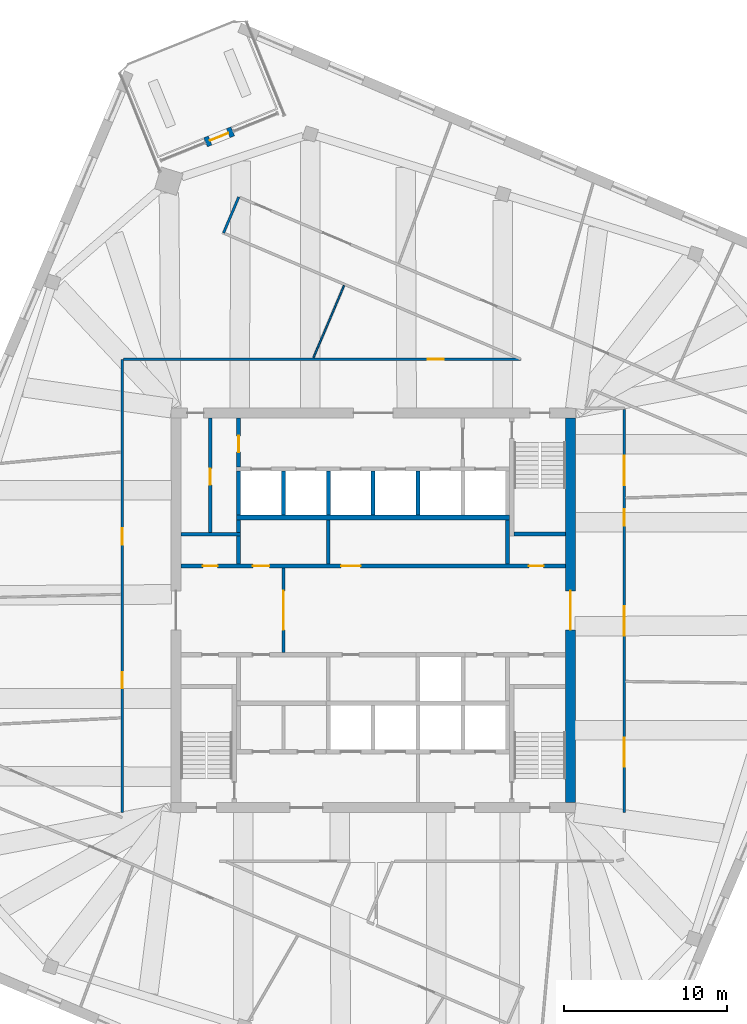
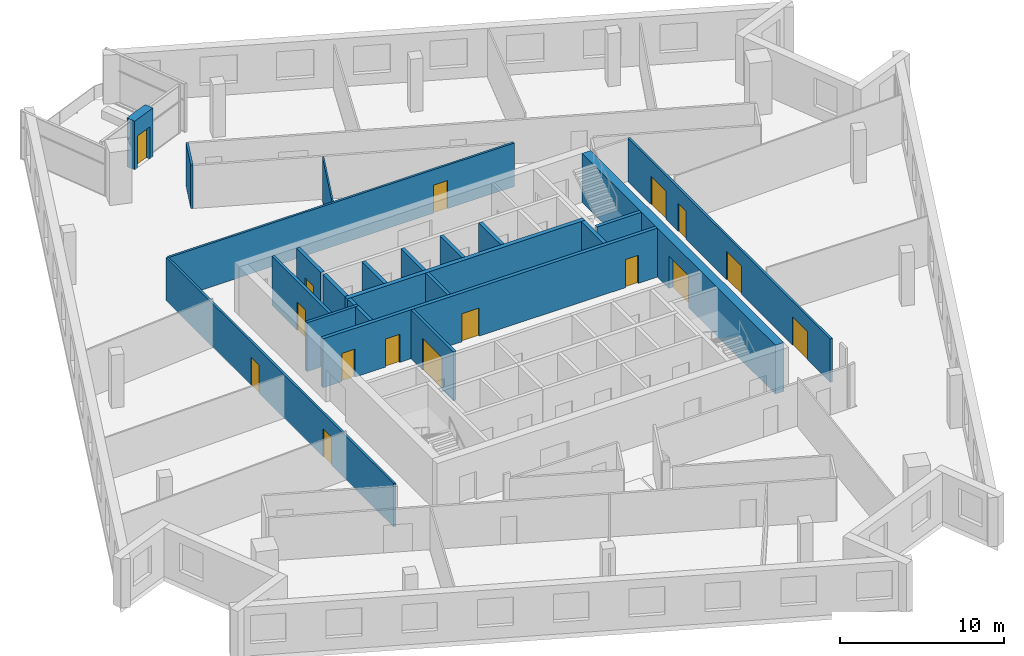
# One storey, part 9 of 13: 23 walls, 16 doors, 16 openings.
"""IFC4 building model written with IfcOpenShell, lengths in metres."""

from ifc_helpers import new_model, si_unit, direction, frame, frame_2d, origin, place, context, subcontext, project, spatial, rectangle, extrude, material, layer, layer_set, type_object, element, fill, save


model = new_model("IFC4")

# Units and contexts
model_context = context("Model", 3, precision=1e-05, world=origin(), true_north=direction((0.0, 1.0)))
body_context = subcontext(model_context, "Body", "Model", "MODEL_VIEW")
ifc_project = project(units=[si_unit("LENGTHUNIT", "METRE"), si_unit("AREAUNIT", "SQUARE_METRE"), si_unit("VOLUMEUNIT", "CUBIC_METRE"), si_unit("PLANEANGLEUNIT", "RADIAN"), si_unit("MASSUNIT", "GRAM", prefix="KILO")], contexts=[model_context])

# Site, building, storey
site_placement = place(None, origin())
site = spatial("IfcSite", under=ifc_project, at=site_placement, CompositionType="ELEMENT")
building_placement = place(site_placement, origin())
building = spatial("IfcBuilding", under=site, at=building_placement, Name="Dilmun Exchange Tower", CompositionType="ELEMENT")
storey_placement = place(building_placement, frame((0.0, 0.0, 300.5)))
storey = spatial("IfcBuildingStorey", under=building, at=storey_placement, Name="L71", CompositionType="ELEMENT", Elevation=300.5)

# Wall, opening, door
ifc_material_1 = material(Name="Concrete C40/50", Category="concrete")
ifc_layer_1 = layer(ifc_material_1, 0.199951171875)
ifc_layer_set_1 = layer_set([ifc_layer_1], Name="Concrete C40/50")
wall_type_1 = type_object("IfcWallType", Name="Core partition wall 200", PredefinedType="PARTITIONING", material=ifc_layer_set_1)
wall_1_placement = place(storey_placement, frame((-5.5, -2.594970703125, 0.0), z_axis=(0.0, 0.0, 1.0), x_axis=(0.0, 1.0, 0.0)))
wall_1 = element("IfcWall", 1, at=wall_1_placement, inside=storey, type_object=wall_type_1, Name="L71 core partition wall 11", PredefinedType="PARTITIONING", context=body_context, shape_type="SweptSolid", body=[
    extrude(rectangle(XDim=5.18994140625, YDim=0.199951171875, at=frame_2d((2.594970703125, 0.0))), origin(), (0.0, 0.0, 1.0), 3.64990234375),
])
opening_1_placement = place(wall_1_placement, frame((1.39501953125, 0.0, 0.0)))
opening_1 = element("IfcOpeningElement", 2, at=opening_1_placement, cuts=wall_1, Name="Opening CD1", PredefinedType="OPENING", context=body_context, shape_type="SweptSolid", body=[
    extrude(rectangle(XDim=2.39990234375, YDim=2.39990234375, at=frame_2d((1.199951171875, 1.199951171875))), frame((0.0, 0.10986328125, 0.0), z_axis=(0.0, -1.0, 0.0), x_axis=(1.0, 0.0, 0.0)), (0.0, 0.0, 1.0), 0.219970703125),
])
ifc_material_2 = material(Name="Fire-rated steel door set", Category="steel")
door_type_1 = type_object("IfcDoorType", Name="Core lobby door 2400x2400", OperationType="DOUBLE_DOOR_DOUBLE_SWING", PredefinedType="DOOR", material=ifc_material_2)
door_1_placement = place(opening_1_placement, origin())
door_1 = element("IfcDoor", 3, at=door_1_placement, inside=storey, type_object=door_type_1, Name="L71 door Lift lobby east", OperationType="DOUBLE_DOOR_DOUBLE_SWING", OverallHeight=2.39990234375, OverallWidth=2.39990234375, PredefinedType="DOOR", context=body_context, shape_type="SweptSolid", body=[
    extrude(rectangle(XDim=2.39990234375, YDim=2.39990234375, at=frame_2d((1.199951171875, 1.199951171875))), frame((0.0, 0.02490234375, 0.0), z_axis=(0.0, -1.0, 0.0), x_axis=(1.0, 0.0, 0.0)), (0.0, 0.0, 1.0), 0.050048828125),
])
fill(opening_1, door_1)

# Walls
wall_2_placement = place(storey_placement, frame((-2.75, 2.85498046875, 0.0), z_axis=(0.0, 0.0, 1.0), x_axis=(0.0, 1.0, 0.0)))
element("IfcWall", 4, at=wall_2_placement, inside=storey, type_object=wall_type_1, Name="L71 core partition wall 14", PredefinedType="PARTITIONING", context=body_context, shape_type="SweptSolid", body=[
    extrude(rectangle(XDim=2.68994140625, YDim=0.199951171875, at=frame_2d((1.344970703125, 0.0))), origin(), (0.0, 0.0, 1.0), 3.64990234375),
])
wall_3_placement = place(storey_placement, frame((-11.794921875, 4.675048828125, 0.0), z_axis=(0.0, 0.0, 1.0), x_axis=(1.0, 0.0, 0.0)))
element("IfcWall", 5, at=wall_3_placement, inside=storey, type_object=wall_type_1, Name="L71 core partition wall 16", PredefinedType="PARTITIONING", context=body_context, shape_type="SweptSolid", body=[
    extrude(rectangle(XDim=3.64501953125, YDim=0.199951171875, at=frame_2d((1.822509765625, 0.0))), origin(), (0.0, 0.0, 1.0), 3.64990234375),
])

# Wall, opening, door
wall_4_placement = place(storey_placement, frame((-10.0, 4.780029296875, 0.0), z_axis=(0.0, 0.0, 1.0), x_axis=(0.0, 1.0, 0.0)))
wall_4 = element("IfcWall", 6, at=wall_4_placement, inside=storey, type_object=wall_type_1, Name="L71 core partition wall 17", PredefinedType="PARTITIONING", context=body_context, shape_type="SweptSolid", body=[
    extrude(rectangle(XDim=7.014892578125, YDim=0.199951171875, at=frame_2d((3.50732421875, 0.0))), origin(), (0.0, 0.0, 1.0), 3.64990234375),
])
opening_2_placement = place(wall_4_placement, frame((2.919921875, 0.0, 0.0)))
opening_2 = element("IfcOpeningElement", 7, at=opening_2_placement, cuts=wall_4, Name="Opening CD4", PredefinedType="OPENING", context=body_context, shape_type="SweptSolid", body=[
    extrude(rectangle(XDim=1.0, YDim=2.10009765625, at=frame_2d((0.5, 1.050048828125))), frame((0.0, 0.10986328125, 0.0), z_axis=(0.0, -1.0, 0.0), x_axis=(1.0, 0.0, 0.0)), (0.0, 0.0, 1.0), 0.219970703125),
])
door_type_2 = type_object("IfcDoorType", Name="Core room door 1000x2100", OperationType="SINGLE_SWING_LEFT", PredefinedType="DOOR", material=ifc_material_2)
door_2_placement = place(opening_2_placement, origin())
door_2 = element("IfcDoor", 8, at=door_2_placement, inside=storey, type_object=door_type_2, Name="L71 door Comms room", OperationType="SINGLE_SWING_RIGHT", OverallHeight=2.10009765625, OverallWidth=1.0, PredefinedType="DOOR", context=body_context, shape_type="SweptSolid", body=[
    extrude(rectangle(XDim=1.0, YDim=2.10009765625, at=frame_2d((0.5, 1.050048828125))), frame((0.0, 0.02490234375, 0.0), z_axis=(0.0, -1.0, 0.0), x_axis=(1.0, 0.0, 0.0)), (0.0, 0.0, 1.0), 0.050048828125),
])
fill(opening_2, door_2)

# Wall, openings, doors
ifc_layer_2 = layer(ifc_material_1, 0.25)
ifc_layer_set_2 = layer_set([ifc_layer_2], Name="Concrete C40/50")
wall_type_2 = type_object("IfcWallType", Name="Core partition wall 250", PredefinedType="PARTITIONING", material=ifc_layer_set_2)
wall_5_placement = place(storey_placement, frame((-11.794921875, 2.72509765625, 0.0), z_axis=(0.0, 0.0, 1.0), x_axis=(1.0, 0.0, 0.0)))
wall_5 = element("IfcWall", 9, at=wall_5_placement, inside=storey, type_object=wall_type_2, Name="L71 core partition wall 12", PredefinedType="PARTITIONING", context=body_context, shape_type="SweptSolid", body=[
    extrude(rectangle(XDim=23.58984375, YDim=0.25, at=frame_2d((11.794921875, 0.0))), origin(), (0.0, 0.0, 1.0), 3.64990234375),
])
opening_3_placement = place(wall_5_placement, frame((21.344970703125, 0.0, 0.0)))
opening_3 = element("IfcOpeningElement", 10, at=opening_3_placement, cuts=wall_5, Name="Opening CD6", PredefinedType="OPENING", context=body_context, shape_type="SweptSolid", body=[
    extrude(rectangle(XDim=0.89990234375, YDim=2.10009765625, at=frame_2d((0.449951171875, 1.050048828125))), frame((0.0, 0.135009765625, 0.0), z_axis=(0.0, -1.0, 0.0), x_axis=(1.0, 0.0, 0.0)), (0.0, 0.0, 1.0), 0.27001953125),
])
opening_4_placement = place(wall_5_placement, frame((1.344970703125, 0.0, 0.0)))
opening_4 = element("IfcOpeningElement", 11, at=opening_4_placement, cuts=wall_5, Name="Opening CD6", PredefinedType="OPENING", context=body_context, shape_type="SweptSolid", body=[
    extrude(rectangle(XDim=0.89990234375, YDim=2.10009765625, at=frame_2d((0.449951171875, 1.050048828125))), frame((0.0, 0.135009765625, 0.0), z_axis=(0.0, -1.0, 0.0), x_axis=(1.0, 0.0, 0.0)), (0.0, 0.0, 1.0), 0.27001953125),
])
opening_5_placement = place(wall_5_placement, frame((4.419921875, 0.0, 0.0)))
opening_5 = element("IfcOpeningElement", 12, at=opening_5_placement, cuts=wall_5, Name="Opening CD4", PredefinedType="OPENING", context=body_context, shape_type="SweptSolid", body=[
    extrude(rectangle(XDim=1.0, YDim=2.10009765625, at=frame_2d((0.5, 1.050048828125))), frame((0.0, 0.135009765625, 0.0), z_axis=(0.0, -1.0, 0.0), x_axis=(1.0, 0.0, 0.0)), (0.0, 0.0, 1.0), 0.27001953125),
])
opening_6_placement = place(wall_5_placement, frame((9.820068359375, 0.0, 0.0)))
opening_6 = element("IfcOpeningElement", 13, at=opening_6_placement, cuts=wall_5, Name="Opening CD3", PredefinedType="OPENING", context=body_context, shape_type="SweptSolid", body=[
    extrude(rectangle(XDim=1.199951171875, YDim=2.10009765625, at=frame_2d((0.60009765625, 1.050048828125))), frame((0.0, 0.135009765625, 0.0), z_axis=(0.0, -1.0, 0.0), x_axis=(1.0, 0.0, 0.0)), (0.0, 0.0, 1.0), 0.27001953125),
])
door_3_placement = place(opening_5_placement, origin())
door_3 = element("IfcDoor", 14, at=door_3_placement, inside=storey, type_object=door_type_2, Name="L71 door Switch room", OperationType="SINGLE_SWING_RIGHT", OverallHeight=2.10009765625, OverallWidth=1.0, PredefinedType="DOOR", context=body_context, shape_type="SweptSolid", body=[
    extrude(rectangle(XDim=1.0, YDim=2.10009765625, at=frame_2d((0.5, 1.050048828125))), frame((0.0, 0.02490234375, 0.0), z_axis=(0.0, -1.0, 0.0), x_axis=(1.0, 0.0, 0.0)), (0.0, 0.0, 1.0), 0.050048828125),
])
fill(opening_5, door_3)
door_type_3 = type_object("IfcDoorType", Name="Core room door 900x2100", OperationType="SINGLE_SWING_LEFT", PredefinedType="DOOR", material=ifc_material_2)
door_4_placement = place(opening_3_placement, origin())
door_4 = element("IfcDoor", 15, at=door_4_placement, inside=storey, type_object=door_type_3, Name="L71 door Electrical riser", OperationType="SINGLE_SWING_RIGHT", OverallHeight=2.10009765625, OverallWidth=0.89990234375, PredefinedType="DOOR", context=body_context, shape_type="SweptSolid", body=[
    extrude(rectangle(XDim=0.89990234375, YDim=2.10009765625, at=frame_2d((0.449951171875, 1.050048828125))), frame((0.0, 0.02490234375, 0.0), z_axis=(0.0, -1.0, 0.0), x_axis=(1.0, 0.0, 0.0)), (0.0, 0.0, 1.0), 0.050048828125),
])
fill(opening_3, door_4)
door_5_placement = place(opening_4_placement, origin())
door_5 = element("IfcDoor", 16, at=door_5_placement, inside=storey, type_object=door_type_3, Name="L71 door Plumbing riser", OperationType="SINGLE_SWING_RIGHT", OverallHeight=2.10009765625, OverallWidth=0.89990234375, PredefinedType="DOOR", context=body_context, shape_type="SweptSolid", body=[
    extrude(rectangle(XDim=0.89990234375, YDim=2.10009765625, at=frame_2d((0.449951171875, 1.050048828125))), frame((0.0, 0.02490234375, 0.0), z_axis=(0.0, -1.0, 0.0), x_axis=(1.0, 0.0, 0.0)), (0.0, 0.0, 1.0), 0.050048828125),
])
fill(opening_4, door_5)
door_type_4 = type_object("IfcDoorType", Name="Stair exit door 1200x2100", OperationType="SINGLE_SWING_LEFT", PredefinedType="DOOR", material=ifc_material_2)
door_6_placement = place(opening_6_placement, origin())
door_6 = element("IfcDoor", 17, at=door_6_placement, inside=storey, type_object=door_type_4, Name="L71 door Quiet working room", OperationType="SINGLE_SWING_LEFT", OverallHeight=2.10009765625, OverallWidth=1.199951171875, PredefinedType="DOOR", context=body_context, shape_type="SweptSolid", body=[
    extrude(rectangle(XDim=1.199951171875, YDim=2.10009765625, at=frame_2d((0.60009765625, 1.050048828125))), frame((0.0, 0.02490234375, 0.0), z_axis=(0.0, -1.0, 0.0), x_axis=(1.0, 0.0, 0.0)), (0.0, 0.0, 1.0), 0.050048828125),
])
fill(opening_6, door_6)

# Walls
wall_6_placement = place(storey_placement, frame((-8.25, 2.85498046875, 0.0), z_axis=(0.0, 0.0, 1.0), x_axis=(0.0, 1.0, 0.0)))
element("IfcWall", 18, at=wall_6_placement, inside=storey, type_object=wall_type_2, Name="L71 core partition wall 13", PredefinedType="PARTITIONING", context=body_context, shape_type="SweptSolid", body=[
    extrude(rectangle(XDim=1.715087890625, YDim=0.25, at=frame_2d((0.857421875, 0.0))), origin(), (0.0, 0.0, 1.0), 3.64990234375),
])
wall_7_placement = place(storey_placement, frame((8.25, 2.85498046875, 0.0), z_axis=(0.0, 0.0, 1.0), x_axis=(0.0, 1.0, 0.0)))
element("IfcWall", 19, at=wall_7_placement, inside=storey, type_object=wall_type_2, Name="L71 core partition wall 15", PredefinedType="PARTITIONING", context=body_context, shape_type="SweptSolid", body=[
    extrude(rectangle(XDim=2.68994140625, YDim=0.25, at=frame_2d((1.344970703125, 0.0))), origin(), (0.0, 0.0, 1.0), 3.64990234375),
])
wall_8_placement = place(storey_placement, frame((-8.25, 4.780029296875, 0.0), z_axis=(0.0, 0.0, 1.0), x_axis=(0.0, 1.0, 0.0)))
element("IfcWall", 20, at=wall_8_placement, inside=storey, type_object=wall_type_2, Name="L71 core partition wall 18", PredefinedType="PARTITIONING", context=body_context, shape_type="SweptSolid", body=[
    extrude(rectangle(XDim=0.764892578125, YDim=0.25, at=frame_2d((0.38232421875, 0.0))), origin(), (0.0, 0.0, 1.0), 3.64990234375),
])

# Wall, opening, door
wall_9_placement = place(storey_placement, frame((-8.25, 8.804931640625, 0.0), z_axis=(0.0, 0.0, 1.0), x_axis=(0.0, 1.0, 0.0)))
wall_9 = element("IfcWall", 21, at=wall_9_placement, inside=storey, type_object=wall_type_2, Name="L71 core partition wall 19", PredefinedType="PARTITIONING", context=body_context, shape_type="SweptSolid", body=[
    extrude(rectangle(XDim=2.989990234375, YDim=0.25, at=frame_2d((1.4951171875, 0.0))), origin(), (0.0, 0.0, 1.0), 3.64990234375),
])
opening_7_placement = place(wall_9_placement, frame((0.89501953125, 0.0, 0.0)))
opening_7 = element("IfcOpeningElement", 22, at=opening_7_placement, cuts=wall_9, Name="Opening CD4", PredefinedType="OPENING", context=body_context, shape_type="SweptSolid", body=[
    extrude(rectangle(XDim=1.0, YDim=2.10009765625, at=frame_2d((0.5, 1.050048828125))), frame((0.0, 0.135009765625, 0.0), z_axis=(0.0, -1.0, 0.0), x_axis=(1.0, 0.0, 0.0)), (0.0, 0.0, 1.0), 0.27001953125),
])
door_7_placement = place(opening_7_placement, origin())
door_7 = element("IfcDoor", 23, at=door_7_placement, inside=storey, type_object=door_type_2, Name="L71 door Security room", OperationType="SINGLE_SWING_RIGHT", OverallHeight=2.10009765625, OverallWidth=1.0, PredefinedType="DOOR", context=body_context, shape_type="SweptSolid", body=[
    extrude(rectangle(XDim=1.0, YDim=2.10009765625, at=frame_2d((0.5, 1.050048828125))), frame((0.0, 0.02490234375, 0.0), z_axis=(0.0, -1.0, 0.0), x_axis=(1.0, 0.0, 0.0)), (0.0, 0.0, 1.0), 0.050048828125),
])
fill(opening_7, door_7)

ifc_material_3 = material(Name="Concrete C50/60", Category="concrete")
ifc_layer_3 = layer(ifc_material_3, 0.60009765625)
ifc_layer_set_3 = layer_set([ifc_layer_3], Name="Concrete C50/60")
wall_type_3 = type_object("IfcWallType", Name="Core shear wall 600 Concrete C50/60", PredefinedType="SHEAR", material=ifc_layer_set_3)
wall_10_placement = place(storey_placement, frame((12.10009765625, -11.800048828125, 0.0), z_axis=(0.0, 0.0, 1.0), x_axis=(0.0, 1.0, 0.0)))
wall_10 = element("IfcWall", 24, at=wall_10_placement, inside=storey, type_object=wall_type_3, Name="L71 core shear wall E", PredefinedType="SHEAR", context=body_context, shape_type="SweptSolid", body=[
    extrude(rectangle(XDim=23.60009765625, YDim=0.60009765625, at=frame_2d((11.800048828125, 0.0))), origin(), (0.0, 0.0, 1.0), 3.64990234375),
])
opening_8_placement = place(wall_10_placement, frame((10.60009765625, 0.0, 0.0)))
opening_8 = element("IfcOpeningElement", 25, at=opening_8_placement, cuts=wall_10, Name="Opening CD1", PredefinedType="OPENING", context=body_context, shape_type="SweptSolid", body=[
    extrude(rectangle(XDim=2.39990234375, YDim=2.39990234375, at=frame_2d((1.199951171875, 1.199951171875))), frame((0.0, 0.31005859375, 0.0), z_axis=(0.0, -1.0, 0.0), x_axis=(1.0, 0.0, 0.0)), (0.0, 0.0, 1.0), 0.6201171875),
])
door_8_placement = place(opening_8_placement, origin())
door_8 = element("IfcDoor", 26, at=door_8_placement, inside=storey, type_object=door_type_1, Name="L71 door Central lift lobby", OperationType="SINGLE_SWING_LEFT", OverallHeight=2.39990234375, OverallWidth=2.39990234375, PredefinedType="DOOR", context=body_context, shape_type="SweptSolid", body=[
    extrude(rectangle(XDim=2.39990234375, YDim=2.39990234375, at=frame_2d((1.199951171875, 1.199951171875))), frame((0.0, 0.02490234375, 0.0), z_axis=(0.0, -1.0, 0.0), x_axis=(1.0, 0.0, 0.0)), (0.0, 0.0, 1.0), 0.050048828125),
])
fill(opening_8, door_8)

# Wall, openings, doors
ifc_material_4 = material(Name="Corridor wall 150")
ifc_layer_4 = layer(ifc_material_4, 0.14990234375)
ifc_layer_set_4 = layer_set([ifc_layer_4], Name="Corridor wall 150")
wall_type_4 = type_object("IfcWallType", Name="Corridor wall 150", PredefinedType="PARTITIONING", material=ifc_layer_set_4)
wall_11_placement = place(storey_placement, frame((-15.39990234375, -12.39990234375, 0.0), z_axis=(0.0, 0.0, 1.0), x_axis=(0.0, 1.0, 0.0)))
wall_11 = element("IfcWall", 27, at=wall_11_placement, inside=storey, type_object=wall_type_4, Name="Corridor wall", PredefinedType="PARTITIONING", context=body_context, shape_type="SweptSolid", body=[
    extrude(rectangle(XDim=27.7998046875, YDim=0.14990234375, at=frame_2d((13.89990234375, 0.0))), origin(), (0.0, 0.0, 1.0), 3.25),
])
opening_9_placement = place(wall_11_placement, frame((7.607666015625, 0.0, 0.0)))
opening_9 = element("IfcOpeningElement", 28, at=opening_9_placement, cuts=wall_11, Name="Opening TF70-D01", PredefinedType="OPENING", context=body_context, shape_type="SweptSolid", body=[
    extrude(rectangle(XDim=1.0, YDim=2.10009765625, at=frame_2d((0.5, 1.050048828125))), frame((0.0, 0.0849609375, 0.0), z_axis=(0.0, -1.0, 0.0), x_axis=(1.0, 0.0, 0.0)), (0.0, 0.0, 1.0), 0.169921875),
])
opening_10_placement = place(wall_11_placement, frame((16.435302734375, 0.0, 0.0)))
opening_10 = element("IfcOpeningElement", 29, at=opening_10_placement, cuts=wall_11, Name="Opening TF70-D04", PredefinedType="OPENING", context=body_context, shape_type="SweptSolid", body=[
    extrude(rectangle(XDim=1.0, YDim=2.10009765625, at=frame_2d((0.5, 1.050048828125))), frame((0.0, 0.0849609375, 0.0), z_axis=(0.0, -1.0, 0.0), x_axis=(1.0, 0.0, 0.0)), (0.0, 0.0, 1.0), 0.169921875),
])
ifc_material_5 = material(Name="Fire door 1000 x 2100")
door_type_5 = type_object("IfcDoorType", Name="Fire door 1000 x 2100", OperationType="NOTDEFINED", PredefinedType="DOOR", material=ifc_material_5)
door_9_placement = place(opening_9_placement, origin())
door_9 = element("IfcDoor", 30, at=door_9_placement, inside=storey, type_object=door_type_5, Name="Door TF70-D01", OperationType="SINGLE_SWING_RIGHT", OverallHeight=2.10009765625, OverallWidth=1.0, PredefinedType="DOOR", context=body_context, shape_type="SweptSolid", body=[
    extrude(rectangle(XDim=1.0, YDim=2.10009765625, at=frame_2d((0.5, 1.050048828125))), frame((0.0, 0.02490234375, 0.0), z_axis=(0.0, -1.0, 0.0), x_axis=(1.0, 0.0, 0.0)), (0.0, 0.0, 1.0), 0.050048828125),
])
fill(opening_9, door_9)
door_10_placement = place(opening_10_placement, origin())
door_10 = element("IfcDoor", 31, at=door_10_placement, inside=storey, type_object=door_type_5, Name="Door TF70-D04", OperationType="SINGLE_SWING_LEFT", OverallHeight=2.10009765625, OverallWidth=1.0, PredefinedType="DOOR", context=body_context, shape_type="SweptSolid", body=[
    extrude(rectangle(XDim=1.0, YDim=2.10009765625, at=frame_2d((0.5, 1.050048828125))), frame((0.0, 0.02490234375, 0.0), z_axis=(0.0, -1.0, 0.0), x_axis=(1.0, 0.0, 0.0)), (0.0, 0.0, 1.0), 0.050048828125),
])
fill(opening_10, door_10)

# Wall, opening, door
wall_12_placement = place(storey_placement, frame((-15.324951171875, 15.39990234375, 0.0), z_axis=(0.0, 0.0, 1.0), x_axis=(1.0, 0.0, 0.0)))
wall_12 = element("IfcWall", 32, at=wall_12_placement, inside=storey, type_object=wall_type_4, Name="Corridor wall", PredefinedType="PARTITIONING", context=body_context, shape_type="SweptSolid", body=[
    extrude(rectangle(XDim=24.3779296875, YDim=0.14990234375, at=frame_2d((12.18896484375, 0.0))), origin(), (0.0, 0.0, 1.0), 3.25),
])
opening_11_placement = place(wall_12_placement, frame((18.66748046875, 0.0, 0.0)))
opening_11 = element("IfcOpeningElement", 33, at=opening_11_placement, cuts=wall_12, Name="Opening TF70-D10", PredefinedType="OPENING", context=body_context, shape_type="SweptSolid", body=[
    extrude(rectangle(XDim=1.0, YDim=2.10009765625, at=frame_2d((0.5, 1.050048828125))), frame((0.0, 0.0849609375, 0.0), z_axis=(0.0, -1.0, 0.0), x_axis=(1.0, 0.0, 0.0)), (0.0, 0.0, 1.0), 0.169921875),
])
door_11_placement = place(opening_11_placement, origin())
door_11 = element("IfcDoor", 34, at=door_11_placement, inside=storey, type_object=door_type_5, Name="Door TF70-D10", OperationType="SINGLE_SWING_RIGHT", OverallHeight=2.10009765625, OverallWidth=1.0, PredefinedType="DOOR", context=body_context, shape_type="SweptSolid", body=[
    extrude(rectangle(XDim=1.0, YDim=2.10009765625, at=frame_2d((0.5, 1.050048828125))), frame((0.0, 0.02490234375, 0.0), z_axis=(0.0, -1.0, 0.0), x_axis=(1.0, 0.0, 0.0)), (0.0, 0.0, 1.0), 0.050048828125),
])
fill(opening_11, door_11)

# Wall
wall_13_placement = place(storey_placement, frame((-9.18310546875, 23.14501953125, 0.0), z_axis=(0.0, 0.0, 1.0), x_axis=(0.390847654615, 0.920455382342, 0.0)))
element("IfcWall", 35, at=wall_13_placement, inside=storey, type_object=wall_type_4, Name="Corridor wall", PredefinedType="PARTITIONING", context=body_context, shape_type="SweptSolid", body=[
    extrude(rectangle(XDim=2.39990234375, YDim=0.14990234375, at=frame_2d((1.199951171875, 0.0))), origin(), (0.0, 0.0, 1.0), 3.25),
])

# Wall, openings, doors
wall_14_placement = place(storey_placement, frame((15.39990234375, -12.39990234375, 0.0), z_axis=(0.0, 0.0, 1.0), x_axis=(0.0, 1.0, 0.0)))
wall_14 = element("IfcWall", 36, at=wall_14_placement, inside=storey, type_object=wall_type_4, Name="Corridor wall", PredefinedType="PARTITIONING", context=body_context, shape_type="SweptSolid", body=[
    extrude(rectangle(XDim=24.724853515625, YDim=0.14990234375, at=frame_2d((12.3623046875, 0.0))), origin(), (0.0, 0.0, 1.0), 3.25),
])
opening_12_placement = place(wall_14_placement, frame((2.800048828125, 0.0, 0.0)))
opening_12 = element("IfcOpeningElement", 37, at=opening_12_placement, cuts=wall_14, Name="Opening TF70-D14", PredefinedType="OPENING", context=body_context, shape_type="SweptSolid", body=[
    extrude(rectangle(XDim=1.800048828125, YDim=2.10009765625, at=frame_2d((0.89990234375, 1.050048828125))), frame((0.0, 0.0849609375, 0.0), z_axis=(0.0, -1.0, 0.0), x_axis=(1.0, 0.0, 0.0)), (0.0, 0.0, 1.0), 0.169921875),
])
opening_13_placement = place(wall_14_placement, frame((10.84033203125, 0.0, 0.0)))
opening_13 = element("IfcOpeningElement", 38, at=opening_13_placement, cuts=wall_14, Name="Opening TF70-D16", PredefinedType="OPENING", context=body_context, shape_type="SweptSolid", body=[
    extrude(rectangle(XDim=1.800048828125, YDim=2.10009765625, at=frame_2d((0.89990234375, 1.050048828125))), frame((0.0, 0.0849609375, 0.0), z_axis=(0.0, -1.0, 0.0), x_axis=(1.0, 0.0, 0.0)), (0.0, 0.0, 1.0), 0.169921875),
])
opening_14_placement = place(wall_14_placement, frame((17.59033203125, 0.0, 0.0)))
opening_14 = element("IfcOpeningElement", 39, at=opening_14_placement, cuts=wall_14, Name="Opening TF70-D17", PredefinedType="OPENING", context=body_context, shape_type="SweptSolid", body=[
    extrude(rectangle(XDim=1.0, YDim=2.10009765625, at=frame_2d((0.5, 1.050048828125))), frame((0.0, 0.0849609375, 0.0), z_axis=(0.0, -1.0, 0.0), x_axis=(1.0, 0.0, 0.0)), (0.0, 0.0, 1.0), 0.169921875),
])
opening_15_placement = place(wall_14_placement, frame((20.08642578125, 0.0, 0.0)))
opening_15 = element("IfcOpeningElement", 40, at=opening_15_placement, cuts=wall_14, Name="Opening TF70-D18", PredefinedType="OPENING", context=body_context, shape_type="SweptSolid", body=[
    extrude(rectangle(XDim=1.800048828125, YDim=2.10009765625, at=frame_2d((0.89990234375, 1.050048828125))), frame((0.0, 0.0849609375, 0.0), z_axis=(0.0, -1.0, 0.0), x_axis=(1.0, 0.0, 0.0)), (0.0, 0.0, 1.0), 0.169921875),
])
door_12_placement = place(opening_14_placement, frame((1.0, 0.0, 0.0), z_axis=(0.0, 0.0, 1.0), x_axis=(-1.0, 0.0, 0.0)))
door_12 = element("IfcDoor", 41, at=door_12_placement, inside=storey, type_object=door_type_5, Name="Door TF70-D17", OperationType="SINGLE_SWING_LEFT", OverallHeight=2.10009765625, OverallWidth=1.0, PredefinedType="DOOR", context=body_context, shape_type="SweptSolid", body=[
    extrude(rectangle(XDim=1.0, YDim=2.10009765625, at=frame_2d((0.5, 1.050048828125))), frame((0.0, 0.02490234375, 0.0), z_axis=(0.0, -1.0, 0.0), x_axis=(1.0, 0.0, 0.0)), (0.0, 0.0, 1.0), 0.050048828125),
])
fill(opening_14, door_12)
ifc_material_6 = material(Name="Fire door pair 1800 x 2100")
door_type_6 = type_object("IfcDoorType", Name="Fire door pair 1800 x 2100", OperationType="NOTDEFINED", PredefinedType="DOOR", material=ifc_material_6)
door_13_placement = place(opening_12_placement, frame((1.800048828125, 0.0, 0.0), z_axis=(0.0, 0.0, 1.0), x_axis=(-1.0, 0.0, 0.0)))
door_13 = element("IfcDoor", 42, at=door_13_placement, inside=storey, type_object=door_type_6, Name="Door TF70-D14", OperationType="DOUBLE_DOOR_SINGLE_SWING", OverallHeight=2.10009765625, OverallWidth=1.800048828125, PredefinedType="DOOR", context=body_context, shape_type="SweptSolid", body=[
    extrude(rectangle(XDim=1.800048828125, YDim=2.10009765625, at=frame_2d((0.89990234375, 1.050048828125))), frame((0.0, 0.02490234375, 0.0), z_axis=(0.0, -1.0, 0.0), x_axis=(1.0, 0.0, 0.0)), (0.0, 0.0, 1.0), 0.050048828125),
])
fill(opening_12, door_13)
door_14_placement = place(opening_13_placement, frame((1.800048828125, 0.0, 0.0), z_axis=(0.0, 0.0, 1.0), x_axis=(-1.0, 0.0, 0.0)))
door_14 = element("IfcDoor", 43, at=door_14_placement, inside=storey, type_object=door_type_6, Name="Door TF70-D16", OperationType="DOUBLE_DOOR_SINGLE_SWING", OverallHeight=2.10009765625, OverallWidth=1.800048828125, PredefinedType="DOOR", context=body_context, shape_type="SweptSolid", body=[
    extrude(rectangle(XDim=1.800048828125, YDim=2.10009765625, at=frame_2d((0.89990234375, 1.050048828125))), frame((0.0, 0.02490234375, 0.0), z_axis=(0.0, -1.0, 0.0), x_axis=(1.0, 0.0, 0.0)), (0.0, 0.0, 1.0), 0.050048828125),
])
fill(opening_13, door_14)
door_15_placement = place(opening_15_placement, frame((1.800048828125, 0.0, 0.0), z_axis=(0.0, 0.0, 1.0), x_axis=(-1.0, 0.0, 0.0)))
door_15 = element("IfcDoor", 44, at=door_15_placement, inside=storey, type_object=door_type_6, Name="Door TF70-D18", OperationType="DOUBLE_DOOR_SINGLE_SWING", OverallHeight=2.10009765625, OverallWidth=1.800048828125, PredefinedType="DOOR", context=body_context, shape_type="SweptSolid", body=[
    extrude(rectangle(XDim=1.800048828125, YDim=2.10009765625, at=frame_2d((0.89990234375, 1.050048828125))), frame((0.0, 0.02490234375, 0.0), z_axis=(0.0, -1.0, 0.0), x_axis=(1.0, 0.0, 0.0)), (0.0, 0.0, 1.0), 0.050048828125),
])
fill(opening_15, door_15)

# Walls
ifc_layer_5 = layer(ifc_material_1, 0.300048828125)
ifc_layer_set_5 = layer_set([ifc_layer_5], Name="Concrete C40/50")
wall_type_5 = type_object("IfcWallType", Name="Lift shaft shared wall 300", PredefinedType="SOLIDWALL", material=ifc_layer_set_5)
wall_15_placement = place(storey_placement, frame((-8.375, 5.699951171875, 0.0), z_axis=(0.0, 0.0, 1.0), x_axis=(1.0, 0.0, 0.0)))
element("IfcWall", 45, at=wall_15_placement, inside=storey, type_object=wall_type_5, Name="L71 lift shaft rear wall N", PredefinedType="SOLIDWALL", context=body_context, shape_type="SweptSolid", body=[
    extrude(rectangle(XDim=16.75, YDim=0.300048828125, at=frame_2d((8.375, 0.0))), origin(), (0.0, 0.0, 1.0), 3.64990234375),
])
ifc_layer_6 = layer(ifc_material_1, 0.25)
ifc_layer_set_6 = layer_set([ifc_layer_6], Name="Concrete C40/50")
wall_type_6 = type_object("IfcWallType", Name="Lift shaft wall 250", PredefinedType="SOLIDWALL", material=ifc_layer_set_6)
for number, where, z_axis, x_axis, name in (
    (46, (-8.25, 5.85009765625, 0.0), (0.0, 0.0, 1.0), (0.0, 1.0, 0.0), "L71 lift shaft divider N20"),
    (47, (-5.5, 5.85009765625, 0.0), (0.0, 0.0, 1.0), (0.0, 1.0, 0.0), "L71 lift shaft divider N21"),
    (48, (-2.75, 5.85009765625, 0.0), (0.0, 0.0, 1.0), (0.0, 1.0, 0.0), "L71 lift shaft divider N22"),
    (49, (0.0, 5.85009765625, 0.0), (0.0, 0.0, 1.0), (0.0, 1.0, 0.0), "L71 lift shaft divider N23"),
    (50, (2.75, 5.85009765625, 0.0), (0.0, 0.0, 1.0), (0.0, 1.0, 0.0), "L71 lift shaft divider N24"),
):
    element("IfcWall", number, at=place(storey_placement, frame(where, z_axis=z_axis, x_axis=x_axis)), inside=storey, type_object=wall_type_6, Name=name, PredefinedType="SOLIDWALL", context=body_context, shape_type="SweptSolid", body=[
        extrude(rectangle(XDim=2.699951171875, YDim=0.25, at=frame_2d((1.35009765625, 0.0))), origin(), (0.0, 0.0, 1.0), 3.64990234375),
    ])
ifc_material_7 = material(Name="Partition 100")
ifc_layer_7 = layer(ifc_material_7, 0.10009765625)
ifc_layer_set_7 = layer_set([ifc_layer_7], Name="Partition 100")
wall_type_7 = type_object("IfcWallType", Name="Partition 100", PredefinedType="PARTITIONING", material=ifc_layer_set_7)
wall_16_placement = place(storey_placement, frame((-3.6669921875, 15.494384765625, 0.0), z_axis=(0.0, 0.0, 1.0), x_axis=(0.390616296151, 0.920553588435, 0.0)))
element("IfcWall", 51, at=wall_16_placement, inside=storey, type_object=wall_type_7, Name="Partition", PredefinedType="PARTITIONING", context=body_context, shape_type="SweptSolid", body=[
    extrude(rectangle(XDim=4.81201171875, YDim=0.10009765625, at=frame_2d((2.406005859375, 0.0))), origin(), (0.0, 0.0, 1.0), 3.25),
])

# Wall, opening, door
ifc_material_8 = material(Name="Precast concrete C50/60", Category="concrete")
ifc_layer_8 = layer(ifc_material_8, 0.60009765625)
ifc_layer_set_8 = layer_set([ifc_layer_8], Name="Precast concrete C50/60")
wall_type_8 = type_object("IfcWallType", Name="Precast stone-clad wall 600", PredefinedType="STANDARD", material=ifc_layer_set_8)
wall_17_placement = place(storey_placement, frame((-8.61279296875, 29.3828125, 0.0), z_axis=(0.0, 0.0, 1.0), x_axis=(-0.927180240316, -0.374615538876, 0.0)))
wall_17 = element("IfcWall", 52, at=wall_17_placement, inside=storey, type_object=wall_type_8, Name="Facade wall L71-01-D", PredefinedType="STANDARD", context=body_context, shape_type="SweptSolid", body=[
    extrude(rectangle(XDim=1.800048828125, YDim=0.60009765625, at=frame_2d((0.89990234375, 0.0))), origin(), (0.0, 0.0, 1.0), 3.64990234375),
])
opening_16_placement = place(wall_17_placement, frame((0.300048828125, 0.0, 0.0)))
opening_16 = element("IfcOpeningElement", 53, at=opening_16_placement, cuts=wall_17, Name="Opening GD-1", PredefinedType="OPENING", context=body_context, shape_type="SweptSolid", body=[
    extrude(rectangle(XDim=1.199951171875, YDim=2.39990234375, at=frame_2d((0.60009765625, 1.199951171875))), frame((0.0, 0.31005859375, 0.0), z_axis=(0.0, -1.0, 0.0), x_axis=(1.0, 0.0, 0.0)), (0.0, 0.0, 1.0), 0.6201171875),
])
ifc_material_9 = material(Name="Clear low-emissivity glass in aluminium frame", Category="aluminium")
door_type_7 = type_object("IfcDoorType", Name="Glazed garden door 1200 x 2400", OperationType="SINGLE_SWING_LEFT", PredefinedType="DOOR", material=ifc_material_9)
door_16_placement = place(opening_16_placement, origin())
door_16 = element("IfcDoor", 54, at=door_16_placement, inside=storey, type_object=door_type_7, Name="Garden terrace door", OperationType="SINGLE_SWING_LEFT", OverallHeight=2.39990234375, OverallWidth=1.199951171875, PredefinedType="DOOR", context=body_context, shape_type="SweptSolid", body=[
    extrude(rectangle(XDim=1.199951171875, YDim=2.39990234375, at=frame_2d((0.60009765625, 1.199951171875))), frame((0.0, 0.02490234375, 0.0), z_axis=(0.0, -1.0, 0.0), x_axis=(1.0, 0.0, 0.0)), (0.0, 0.0, 1.0), 0.050048828125),
])
fill(opening_16, door_16)

# Wall
ifc_layer_9 = layer(ifc_material_1, 0.25)
ifc_layer_set_9 = layer_set([ifc_layer_9], Name="Concrete C40/50")
wall_type_9 = type_object("IfcWallType", Name="Stair end wall 250", PredefinedType="SOLIDWALL", material=ifc_layer_set_9)
wall_18_placement = place(storey_placement, frame((8.64990234375, 4.675048828125, 0.0), z_axis=(0.0, 0.0, 1.0), x_axis=(1.0, 0.0, 0.0)))
element("IfcWall", 55, at=wall_18_placement, inside=storey, type_object=wall_type_9, Name="L71 ST1 far wall", PredefinedType="SOLIDWALL", context=body_context, shape_type="SweptSolid", body=[
    extrude(rectangle(XDim=3.150146484375, YDim=0.25, at=frame_2d((1.5751953125, 0.0))), origin(), (0.0, 0.0, 1.0), 3.64990234375),
])

save(model, "model.ifc")
